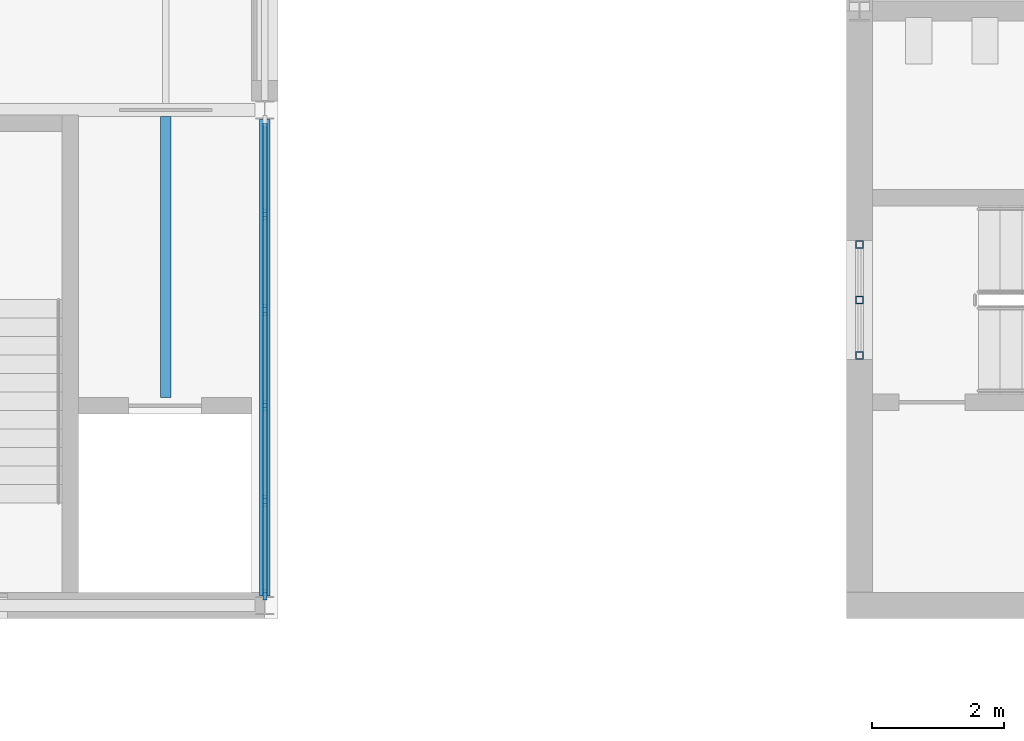
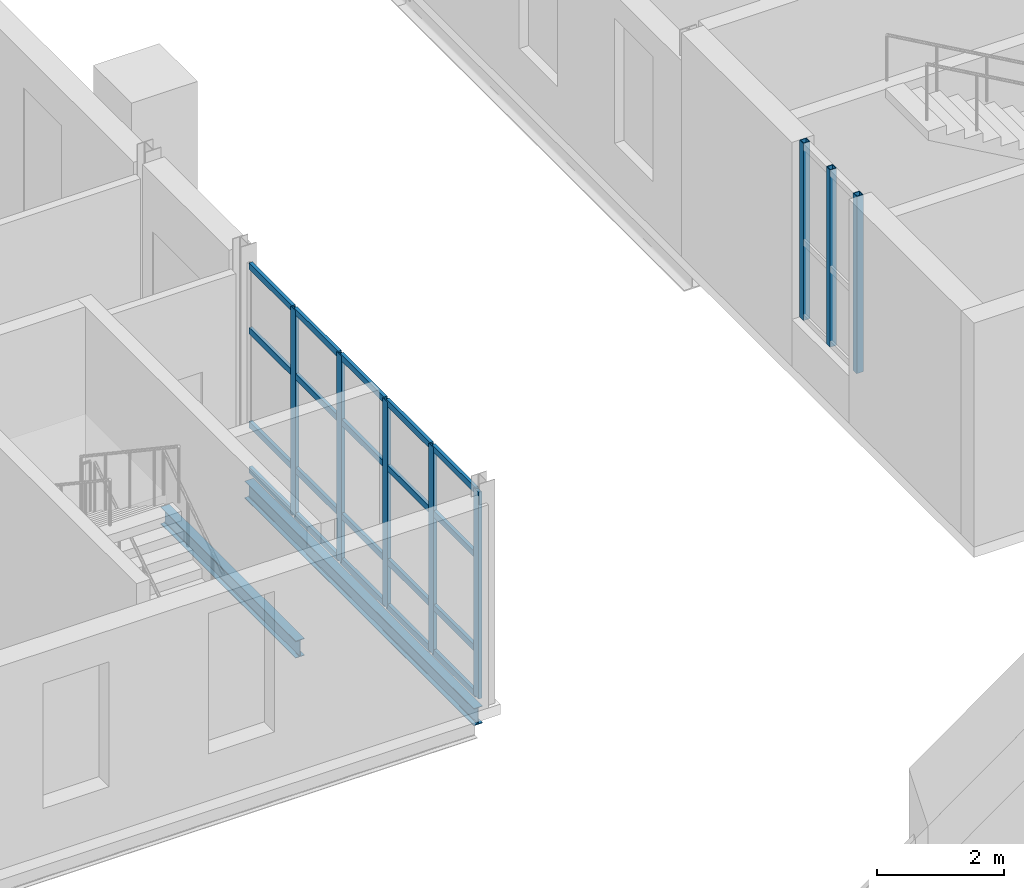
# One storey, part 42 of 131: 28 members, 2 beams, 2 elements without a shape of their own.
"""IFC4 building model written with IfcOpenShell, lengths in metres."""

from ifc_helpers import new_model, si_unit, direction, frame, origin, origin_2d, place, context, subcontext, project, spatial, rectangle, hollow_rectangle, i_section, extrude, material, layer, layer_set, material_profile, profile_set, type_object, element, aggregate, save


model = new_model("IFC4")

# Units and contexts
model_context = context("Model", 3, precision=1e-05, world=origin(), true_north=direction((0.0, 1.0)))
body_context = subcontext(model_context, "Body", "Model", "MODEL_VIEW")
ifc_project = project(units=[si_unit("LENGTHUNIT", "METRE"), si_unit("AREAUNIT", "SQUARE_METRE"), si_unit("VOLUMEUNIT", "CUBIC_METRE"), si_unit("PLANEANGLEUNIT", "RADIAN"), si_unit("MASSUNIT", "GRAM", prefix="KILO")], contexts=[model_context])

# Site, building, storey
site_placement = place(None, origin())
site = spatial("IfcSite", under=ifc_project, at=site_placement, CompositionType="ELEMENT")
building_placement = place(site_placement, origin())
building = spatial("IfcBuilding", under=site, at=building_placement, Name="Golden Quay Civic Hall", CompositionType="ELEMENT")
storey_placement = place(building_placement, frame((0.0, 0.0, 9.89990234375)))
storey = spatial("IfcBuildingStorey", under=building, at=storey_placement, Name="L02", CompositionType="ELEMENT", Elevation=9.89990234375)

# Curtain wall, members
ifc_material_1 = material(Name="Glass, laminated double glazed", Category="glass")
ifc_layer = layer(ifc_material_1, 0.199951171875)
ifc_layer_set = layer_set([ifc_layer], Name="Glazed core strip curtain wall")
curtain_wall_type_1 = type_object("IfcCurtainWallType", Name="Glazed core strip curtain wall", PredefinedType="NOTDEFINED", material=ifc_layer_set)
curtain_wall_1_placement = place(storey_placement, origin())
curtain_wall_1 = element("IfcCurtainWall", 1, at=curtain_wall_1_placement, inside=storey, type_object=curtain_wall_type_1, Name="Glazed core strip curtain wall L02 2", PredefinedType="NOTDEFINED")
ifc_material_2 = material(Name="Aluminium, anodised", Category="aluminium")
ifc_material_profile_1 = material_profile(ifc_material_2, rectangle(XDim=0.06005859375, YDim=0.159912109375, at=origin_2d()), Name="Aluminium 60 x 160")
ifc_profile_set_1 = profile_set([ifc_material_profile_1], Name="Aluminium, anodised")
member_type_1 = type_object("IfcMemberType", Name="Aluminium mullion 60 x 160", PredefinedType="MULLION", material=ifc_profile_set_1)
member_1_placement = place(storey_placement, frame((54.0, 68.9189453125, 0.0), z_axis=(0.0, 0.0, 1.0), x_axis=(1.0, 0.0, 0.0)))
member_1 = element("IfcMember", 2, at=member_1_placement, type_object=member_type_1, Name="CW2 mullion 2", PredefinedType="MULLION", context=body_context, shape_type="SweptSolid", body=[
    extrude(rectangle(XDim=0.06005859375, YDim=0.159912109375, at=origin_2d()), origin(), (0.0, 0.0, 1.0), 3.97021484375),
])
member_2_placement = place(storey_placement, frame((54.0, 67.472900390625, 0.0), z_axis=(0.0, 0.0, 1.0), x_axis=(1.0, 0.0, 0.0)))
member_2 = element("IfcMember", 3, at=member_2_placement, type_object=member_type_1, Name="CW2 mullion 3", PredefinedType="MULLION", context=body_context, shape_type="SweptSolid", body=[
    extrude(rectangle(XDim=0.06005859375, YDim=0.159912109375, at=origin_2d()), origin(), (0.0, 0.0, 1.0), 3.97021484375),
])
member_3_placement = place(storey_placement, frame((54.0, 66.027099609375, 0.0), z_axis=(0.0, 0.0, 1.0), x_axis=(1.0, 0.0, 0.0)))
member_3 = element("IfcMember", 4, at=member_3_placement, type_object=member_type_1, Name="CW2 mullion 4", PredefinedType="MULLION", context=body_context, shape_type="SweptSolid", body=[
    extrude(rectangle(XDim=0.06005859375, YDim=0.159912109375, at=origin_2d()), origin(), (0.0, 0.0, 1.0), 3.97021484375),
])
member_4_placement = place(storey_placement, frame((54.0, 64.5810546875, 0.0), z_axis=(0.0, 0.0, 1.0), x_axis=(1.0, 0.0, 0.0)))
member_4 = element("IfcMember", 5, at=member_4_placement, type_object=member_type_1, Name="CW2 mullion 5", PredefinedType="MULLION", context=body_context, shape_type="SweptSolid", body=[
    extrude(rectangle(XDim=0.06005859375, YDim=0.159912109375, at=origin_2d()), origin(), (0.0, 0.0, 1.0), 3.97021484375),
])
member_5_placement = place(storey_placement, frame((54.0, 63.1650390625, 0.0), z_axis=(0.0, 0.0, 1.0), x_axis=(1.0, 0.0, 0.0)))
member_5 = element("IfcMember", 6, at=member_5_placement, type_object=member_type_1, Name="CW2 mullion 6", PredefinedType="MULLION", context=body_context, shape_type="SweptSolid", body=[
    extrude(rectangle(XDim=0.06005859375, YDim=0.159912109375, at=origin_2d()), origin(), (0.0, 0.0, 1.0), 3.97021484375),
])
ifc_material_3 = material(Name="Aluminium, anodised", Category="aluminium")
ifc_material_profile_2 = material_profile(ifc_material_3, rectangle(XDim=0.06005859375, YDim=0.1201171875, at=origin_2d()), Name="Aluminium 60 x 120")
ifc_profile_set_2 = profile_set([ifc_material_profile_2], Name="Aluminium, anodised")
member_type_2 = type_object("IfcMemberType", Name="Aluminium transom 60 x 120", PredefinedType="USERDEFINED", material=ifc_profile_set_2)
member_6_placement = place(storey_placement, frame((54.0, 70.304931640625, 0.030029296875), z_axis=(0.0, -1.0, 0.0), x_axis=(1.0, 0.0, 0.0)))
member_6 = element("IfcMember", 7, at=member_6_placement, type_object=member_type_2, Name="CW2 transom 1.1", ObjectType="TRANSOM", PredefinedType="USERDEFINED", context=body_context, shape_type="SweptSolid", body=[
    extrude(rectangle(XDim=0.06005859375, YDim=0.1201171875, at=origin_2d()), origin(), (0.0, 0.0, 1.0), 1.35595703125),
])
member_7_placement = place(storey_placement, frame((54.0, 70.304931640625, 0.900146484375), z_axis=(0.0, -1.0, 0.0), x_axis=(1.0, 0.0, 0.0)))
member_7 = element("IfcMember", 8, at=member_7_placement, type_object=member_type_2, Name="CW2 transom 1.2", ObjectType="TRANSOM", PredefinedType="USERDEFINED", context=body_context, shape_type="SweptSolid", body=[
    extrude(rectangle(XDim=0.06005859375, YDim=0.1201171875, at=origin_2d()), origin(), (0.0, 0.0, 1.0), 1.35595703125),
])
member_8_placement = place(storey_placement, frame((54.0, 70.304931640625, 2.7001953125), z_axis=(0.0, -1.0, 0.0), x_axis=(1.0, 0.0, 0.0)))
member_8 = element("IfcMember", 9, at=member_8_placement, type_object=member_type_2, Name="CW2 transom 1.3", ObjectType="TRANSOM", PredefinedType="USERDEFINED", context=body_context, shape_type="SweptSolid", body=[
    extrude(rectangle(XDim=0.06005859375, YDim=0.1201171875, at=origin_2d()), origin(), (0.0, 0.0, 1.0), 1.35595703125),
])
member_9_placement = place(storey_placement, frame((54.0, 70.304931640625, 3.940185546875), z_axis=(0.0, -1.0, 0.0), x_axis=(1.0, 0.0, 0.0)))
member_9 = element("IfcMember", 10, at=member_9_placement, type_object=member_type_2, Name="CW2 transom 1.4", ObjectType="TRANSOM", PredefinedType="USERDEFINED", context=body_context, shape_type="SweptSolid", body=[
    extrude(rectangle(XDim=0.06005859375, YDim=0.1201171875, at=origin_2d()), origin(), (0.0, 0.0, 1.0), 1.35595703125),
])
member_10_placement = place(storey_placement, frame((54.0, 68.888916015625, 0.030029296875), z_axis=(0.0, -1.0, 0.0), x_axis=(1.0, 0.0, 0.0)))
member_10 = element("IfcMember", 11, at=member_10_placement, type_object=member_type_2, Name="CW2 transom 2.1", ObjectType="TRANSOM", PredefinedType="USERDEFINED", context=body_context, shape_type="SweptSolid", body=[
    extrude(rectangle(XDim=0.06005859375, YDim=0.1201171875, at=origin_2d()), origin(), (0.0, 0.0, 1.0), 1.385986328125),
])
member_11_placement = place(storey_placement, frame((54.0, 68.888916015625, 0.900146484375), z_axis=(0.0, -1.0, 0.0), x_axis=(1.0, 0.0, 0.0)))
member_11 = element("IfcMember", 12, at=member_11_placement, type_object=member_type_2, Name="CW2 transom 2.2", ObjectType="TRANSOM", PredefinedType="USERDEFINED", context=body_context, shape_type="SweptSolid", body=[
    extrude(rectangle(XDim=0.06005859375, YDim=0.1201171875, at=origin_2d()), origin(), (0.0, 0.0, 1.0), 1.385986328125),
])
member_12_placement = place(storey_placement, frame((54.0, 68.888916015625, 2.7001953125), z_axis=(0.0, -1.0, 0.0), x_axis=(1.0, 0.0, 0.0)))
member_12 = element("IfcMember", 13, at=member_12_placement, type_object=member_type_2, Name="CW2 transom 2.3", ObjectType="TRANSOM", PredefinedType="USERDEFINED", context=body_context, shape_type="SweptSolid", body=[
    extrude(rectangle(XDim=0.06005859375, YDim=0.1201171875, at=origin_2d()), origin(), (0.0, 0.0, 1.0), 1.385986328125),
])
member_13_placement = place(storey_placement, frame((54.0, 68.888916015625, 3.940185546875), z_axis=(0.0, -1.0, 0.0), x_axis=(1.0, 0.0, 0.0)))
member_13 = element("IfcMember", 14, at=member_13_placement, type_object=member_type_2, Name="CW2 transom 2.4", ObjectType="TRANSOM", PredefinedType="USERDEFINED", context=body_context, shape_type="SweptSolid", body=[
    extrude(rectangle(XDim=0.06005859375, YDim=0.1201171875, at=origin_2d()), origin(), (0.0, 0.0, 1.0), 1.385986328125),
])
member_14_placement = place(storey_placement, frame((54.0, 67.443115234375, 0.030029296875), z_axis=(0.0, -1.0, 0.0), x_axis=(1.0, 0.0, 0.0)))
member_14 = element("IfcMember", 15, at=member_14_placement, type_object=member_type_2, Name="CW2 transom 3.1", ObjectType="TRANSOM", PredefinedType="USERDEFINED", context=body_context, shape_type="SweptSolid", body=[
    extrude(rectangle(XDim=0.06005859375, YDim=0.1201171875, at=origin_2d()), origin(), (0.0, 0.0, 1.0), 1.38623046875),
])
member_15_placement = place(storey_placement, frame((54.0, 67.443115234375, 0.900146484375), z_axis=(0.0, -1.0, 0.0), x_axis=(1.0, 0.0, 0.0)))
member_15 = element("IfcMember", 16, at=member_15_placement, type_object=member_type_2, Name="CW2 transom 3.2", ObjectType="TRANSOM", PredefinedType="USERDEFINED", context=body_context, shape_type="SweptSolid", body=[
    extrude(rectangle(XDim=0.06005859375, YDim=0.1201171875, at=origin_2d()), origin(), (0.0, 0.0, 1.0), 1.38623046875),
])
member_16_placement = place(storey_placement, frame((54.0, 67.443115234375, 2.7001953125), z_axis=(0.0, -1.0, 0.0), x_axis=(1.0, 0.0, 0.0)))
member_16 = element("IfcMember", 17, at=member_16_placement, type_object=member_type_2, Name="CW2 transom 3.3", ObjectType="TRANSOM", PredefinedType="USERDEFINED", context=body_context, shape_type="SweptSolid", body=[
    extrude(rectangle(XDim=0.06005859375, YDim=0.1201171875, at=origin_2d()), origin(), (0.0, 0.0, 1.0), 1.38623046875),
])
member_17_placement = place(storey_placement, frame((54.0, 67.443115234375, 3.940185546875), z_axis=(0.0, -1.0, 0.0), x_axis=(1.0, 0.0, 0.0)))
member_17 = element("IfcMember", 18, at=member_17_placement, type_object=member_type_2, Name="CW2 transom 3.4", ObjectType="TRANSOM", PredefinedType="USERDEFINED", context=body_context, shape_type="SweptSolid", body=[
    extrude(rectangle(XDim=0.06005859375, YDim=0.1201171875, at=origin_2d()), origin(), (0.0, 0.0, 1.0), 1.38623046875),
])
member_18_placement = place(storey_placement, frame((54.0, 65.9970703125, 0.030029296875), z_axis=(0.0, -1.0, 0.0), x_axis=(1.0, 0.0, 0.0)))
member_18 = element("IfcMember", 19, at=member_18_placement, type_object=member_type_2, Name="CW2 transom 4.1", ObjectType="TRANSOM", PredefinedType="USERDEFINED", context=body_context, shape_type="SweptSolid", body=[
    extrude(rectangle(XDim=0.06005859375, YDim=0.1201171875, at=origin_2d()), origin(), (0.0, 0.0, 1.0), 1.385986328125),
])
member_19_placement = place(storey_placement, frame((54.0, 65.9970703125, 0.900146484375), z_axis=(0.0, -1.0, 0.0), x_axis=(1.0, 0.0, 0.0)))
member_19 = element("IfcMember", 20, at=member_19_placement, type_object=member_type_2, Name="CW2 transom 4.2", ObjectType="TRANSOM", PredefinedType="USERDEFINED", context=body_context, shape_type="SweptSolid", body=[
    extrude(rectangle(XDim=0.06005859375, YDim=0.1201171875, at=origin_2d()), origin(), (0.0, 0.0, 1.0), 1.385986328125),
])
member_20_placement = place(storey_placement, frame((54.0, 65.9970703125, 2.7001953125), z_axis=(0.0, -1.0, 0.0), x_axis=(1.0, 0.0, 0.0)))
member_20 = element("IfcMember", 21, at=member_20_placement, type_object=member_type_2, Name="CW2 transom 4.3", ObjectType="TRANSOM", PredefinedType="USERDEFINED", context=body_context, shape_type="SweptSolid", body=[
    extrude(rectangle(XDim=0.06005859375, YDim=0.1201171875, at=origin_2d()), origin(), (0.0, 0.0, 1.0), 1.385986328125),
])
member_21_placement = place(storey_placement, frame((54.0, 65.9970703125, 3.940185546875), z_axis=(0.0, -1.0, 0.0), x_axis=(1.0, 0.0, 0.0)))
member_21 = element("IfcMember", 22, at=member_21_placement, type_object=member_type_2, Name="CW2 transom 4.4", ObjectType="TRANSOM", PredefinedType="USERDEFINED", context=body_context, shape_type="SweptSolid", body=[
    extrude(rectangle(XDim=0.06005859375, YDim=0.1201171875, at=origin_2d()), origin(), (0.0, 0.0, 1.0), 1.385986328125),
])
member_22_placement = place(storey_placement, frame((54.0, 64.551025390625, 0.030029296875), z_axis=(0.0, -1.0, 0.0), x_axis=(1.0, 0.0, 0.0)))
member_22 = element("IfcMember", 23, at=member_22_placement, type_object=member_type_2, Name="CW2 transom 5.1", ObjectType="TRANSOM", PredefinedType="USERDEFINED", context=body_context, shape_type="SweptSolid", body=[
    extrude(rectangle(XDim=0.06005859375, YDim=0.1201171875, at=origin_2d()), origin(), (0.0, 0.0, 1.0), 1.35595703125),
])
member_23_placement = place(storey_placement, frame((54.0, 64.551025390625, 0.900146484375), z_axis=(0.0, -1.0, 0.0), x_axis=(1.0, 0.0, 0.0)))
member_23 = element("IfcMember", 24, at=member_23_placement, type_object=member_type_2, Name="CW2 transom 5.2", ObjectType="TRANSOM", PredefinedType="USERDEFINED", context=body_context, shape_type="SweptSolid", body=[
    extrude(rectangle(XDim=0.06005859375, YDim=0.1201171875, at=origin_2d()), origin(), (0.0, 0.0, 1.0), 1.35595703125),
])
member_24_placement = place(storey_placement, frame((54.0, 64.551025390625, 2.7001953125), z_axis=(0.0, -1.0, 0.0), x_axis=(1.0, 0.0, 0.0)))
member_24 = element("IfcMember", 25, at=member_24_placement, type_object=member_type_2, Name="CW2 transom 5.3", ObjectType="TRANSOM", PredefinedType="USERDEFINED", context=body_context, shape_type="SweptSolid", body=[
    extrude(rectangle(XDim=0.06005859375, YDim=0.1201171875, at=origin_2d()), origin(), (0.0, 0.0, 1.0), 1.35595703125),
])
member_25_placement = place(storey_placement, frame((54.0, 64.551025390625, 3.940185546875), z_axis=(0.0, -1.0, 0.0), x_axis=(1.0, 0.0, 0.0)))
member_25 = element("IfcMember", 26, at=member_25_placement, type_object=member_type_2, Name="CW2 transom 5.4", ObjectType="TRANSOM", PredefinedType="USERDEFINED", context=body_context, shape_type="SweptSolid", body=[
    extrude(rectangle(XDim=0.06005859375, YDim=0.1201171875, at=origin_2d()), origin(), (0.0, 0.0, 1.0), 1.35595703125),
])
aggregate(curtain_wall_1, [member_1, member_2, member_3, member_4, member_5, member_6, member_7, member_8, member_9, member_10, member_11, member_12, member_13, member_14, member_15, member_16, member_17, member_18, member_19, member_20, member_21, member_22, member_23, member_24, member_25])

ifc_material_4 = material(Name="Fire-resisting glass and steel", Category="steel")
curtain_wall_type_2 = type_object("IfcCurtainWallType", Name="Fire-resisting glazed stair curtain wall EI 120", PredefinedType="NOTDEFINED", material=ifc_material_4)
curtain_wall_2_placement = place(storey_placement, origin())
curtain_wall_2 = element("IfcCurtainWall", 27, at=curtain_wall_2_placement, inside=storey, type_object=curtain_wall_type_2, Name="CW4 stair curtain wall", PredefinedType="NOTDEFINED")
ifc_material_5 = material(Name="Steel S355", Category="steel")
ifc_material_profile_3 = material_profile(ifc_material_5, hollow_rectangle(XDim=0.1201171875, YDim=0.1201171875, WallThickness=0.012451171875, at=origin_2d()), Name="SHS 120x120x12.5")
ifc_profile_set_3 = profile_set([ifc_material_profile_3], Name="Steel S355")
member_type_3 = type_object("IfcMemberType", Name="Fire-resisting steel stair mullion 120 x 120", PredefinedType="MULLION", material=ifc_profile_set_3)
member_26_placement = place(storey_placement, frame((63.0, 66.784912109375, 0.900146484375), z_axis=(0.0, 0.0, 1.0), x_axis=(-1.0, 0.0, 0.0)))
member_26 = element("IfcMember", 28, at=member_26_placement, type_object=member_type_3, Name="CW4 mullion 1", PredefinedType="MULLION", context=body_context, shape_type="SweptSolid", body=[
    extrude(hollow_rectangle(XDim=0.1201171875, YDim=0.1201171875, WallThickness=0.012451171875, at=origin_2d()), origin(), (0.0, 0.0, 1.0), 3.39990234375),
])
member_27_placement = place(storey_placement, frame((63.0, 67.625, 0.900146484375), z_axis=(0.0, 0.0, 1.0), x_axis=(-1.0, 0.0, 0.0)))
member_27 = element("IfcMember", 29, at=member_27_placement, type_object=member_type_3, Name="CW4 mullion 2", PredefinedType="MULLION", context=body_context, shape_type="SweptSolid", body=[
    extrude(hollow_rectangle(XDim=0.1201171875, YDim=0.1201171875, WallThickness=0.012451171875, at=origin_2d()), origin(), (0.0, 0.0, 1.0), 3.39990234375),
])
member_28_placement = place(storey_placement, frame((63.0, 68.465087890625, 0.900146484375), z_axis=(0.0, 0.0, 1.0), x_axis=(-1.0, 0.0, 0.0)))
member_28 = element("IfcMember", 30, at=member_28_placement, type_object=member_type_3, Name="CW4 mullion 3", PredefinedType="MULLION", context=body_context, shape_type="SweptSolid", body=[
    extrude(hollow_rectangle(XDim=0.1201171875, YDim=0.1201171875, WallThickness=0.012451171875, at=origin_2d()), origin(), (0.0, 0.0, 1.0), 3.39990234375),
])
aggregate(curtain_wall_2, [member_26, member_27, member_28])

# Beams
ifc_material_6 = material(Name="Steel S355", Category="steel")
ifc_material_profile_4 = material_profile(ifc_material_6, i_section(OverallWidth=0.159912109375, OverallDepth=0.330078125, WebThickness=0.007568359375, FlangeThickness=0.011474609375, FilletRadius=0.01806640625, at=origin_2d()), Name="IPE 330")
ifc_profile_set_4 = profile_set([ifc_material_profile_4], Name="Steel S355")
beam_type_1 = type_object("IfcBeamType", Name="Steel beam IPE 330", PredefinedType="BEAM", material=ifc_profile_set_4)
beam_1_placement = place(storey_placement, frame((54.0, 63.14501953125, -0.364990234375), z_axis=(0.0, 1.0, 0.0), x_axis=(-1.0, 0.0, 0.0)))
element("IfcBeam", 31, at=beam_1_placement, inside=storey, type_object=beam_type_1, Name="Beam S54-63", PredefinedType="BEAM", context=body_context, shape_type="SweptSolid", body=[
    extrude(i_section(OverallWidth=0.159912109375, OverallDepth=0.330078125, WebThickness=0.007568359375, FlangeThickness=0.011474609375, FilletRadius=0.01806640625, at=origin_2d()), origin(), (0.0, 0.0, 1.0), 7.2099609375),
])
ifc_material_7 = material(Name="Steel S355", Category="steel")
ifc_material_profile_5 = material_profile(ifc_material_7, i_section(OverallWidth=0.159912109375, OverallDepth=0.330078125, WebThickness=0.007568359375, FlangeThickness=0.011474609375, FilletRadius=0.01806640625, at=origin_2d()), Name="IPE 330")
ifc_profile_set_5 = profile_set([ifc_material_profile_5], Name="Steel S355")
beam_type_2 = type_object("IfcBeamType", Name="Steel joist IPE 330", PredefinedType="JOIST", material=ifc_profile_set_5)
beam_2_placement = place(storey_placement, frame((52.5, 66.14990234375, -0.364990234375), z_axis=(0.0, 1.0, 0.0), x_axis=(-1.0, 0.0, 0.0)))
element("IfcBeam", 32, at=beam_2_placement, inside=storey, type_object=beam_type_2, Name="Joist J52.5-63-1", PredefinedType="JOIST", context=body_context, shape_type="SweptSolid", body=[
    extrude(i_section(OverallWidth=0.159912109375, OverallDepth=0.330078125, WebThickness=0.007568359375, FlangeThickness=0.011474609375, FilletRadius=0.01806640625, at=origin_2d()), origin(), (0.0, 0.0, 1.0), 4.25),
])

save(model, "model.ifc")
